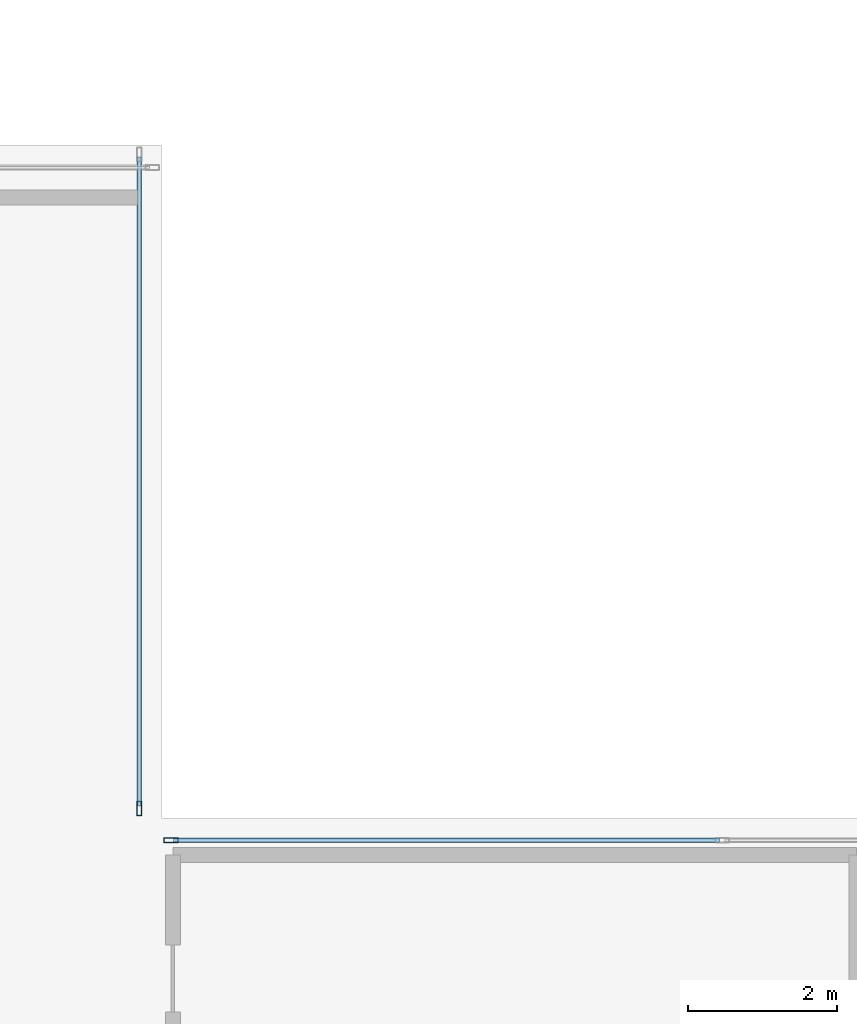
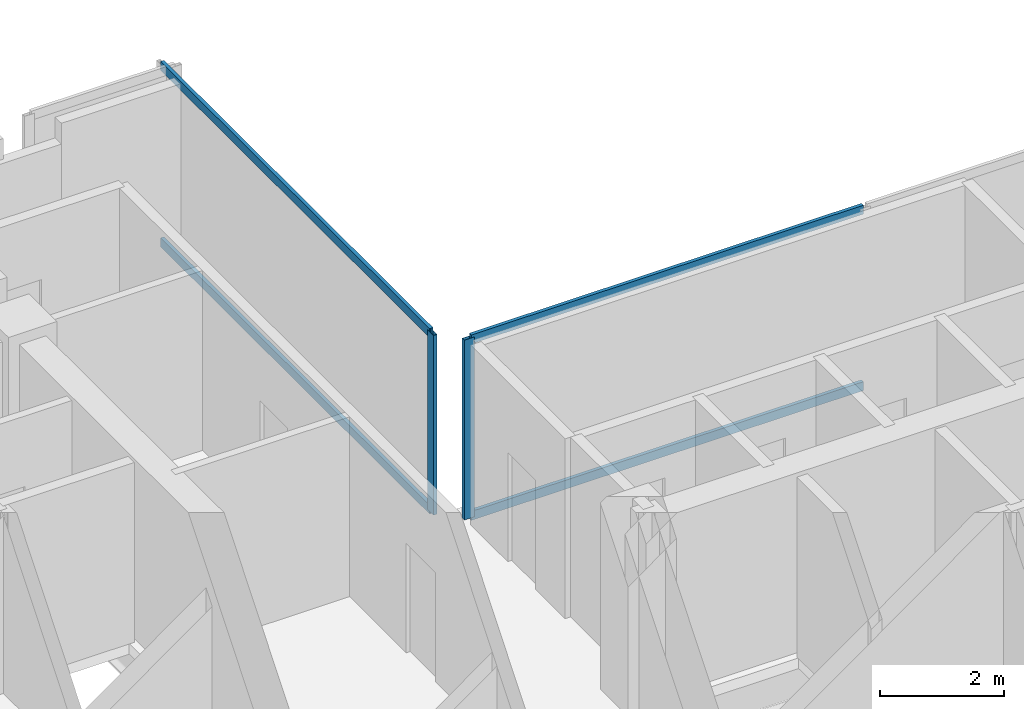
# One storey, part 9 of 21: 6 members, 2 elements without a shape of their own.
"""IFC4 building model written with IfcOpenShell, lengths in metres."""

from ifc_helpers import new_model, si_unit, direction, frame, origin, origin_2d, place, context, subcontext, project, spatial, hollow_rectangle, extrude, material, layer, layer_set, material_profile, profile_set, type_object, element, aggregate, save


model = new_model("IFC4")

# Units and contexts
model_context = context("Model", 3, precision=1e-05, world=origin(), true_north=direction((0.0, 1.0)))
body_context = subcontext(model_context, "Body", "Model", "MODEL_VIEW")
ifc_project = project(units=[si_unit("LENGTHUNIT", "METRE"), si_unit("AREAUNIT", "SQUARE_METRE"), si_unit("VOLUMEUNIT", "CUBIC_METRE"), si_unit("PLANEANGLEUNIT", "RADIAN"), si_unit("MASSUNIT", "GRAM", prefix="KILO"), si_unit("THERMODYNAMICTEMPERATUREUNIT", "KELVIN"), si_unit("POWERUNIT", "WATT")], contexts=[model_context])

# Site, building, storey
site_placement = place(None, origin())
site = spatial("IfcSite", under=ifc_project, at=site_placement, CompositionType="ELEMENT")
building_placement = place(site_placement, origin())
building = spatial("IfcBuilding", under=site, at=building_placement, Name="Svarakhadi Broadcast Tower", CompositionType="ELEMENT")
storey_placement = place(building_placement, frame((0.0, 0.0, 187.949951171875)))
storey = spatial("IfcBuildingStorey", under=building, at=storey_placement, Name="L46", CompositionType="ELEMENT", Elevation=187.949951171875)

# Curtain wall, member
ifc_material = material(Name="Anodised Bronze Aluminium AA 6063-T6", Category="aluminium")
ifc_layer = layer(ifc_material, 0.18994140625)
ifc_layer_set = layer_set([ifc_layer], Name="Anodised Bronze Aluminium AA 6063-T6")
curtain_wall_type = type_object("IfcCurtainWallType", Name="CW_Sys_04", PredefinedType="NOTDEFINED", material=ifc_layer_set)
curtain_wall_1_placement = place(storey_placement, origin())
curtain_wall_1 = element("IfcCurtainWall", 1, at=curtain_wall_1_placement, inside=storey, type_object=curtain_wall_type, Name="L46 Unitised Facade Curtain Wall 09", PredefinedType="NOTDEFINED")
ifc_material_profile_1 = material_profile(ifc_material, hollow_rectangle(XDim=0.070068359375, YDim=0.18994140625, WallThickness=0.005615234375, at=origin_2d()), Name="ALU MULLION 190x70x6")
ifc_profile_set_1 = profile_set([ifc_material_profile_1], Name="Anodised Bronze Aluminium AA 6063-T6")
member_type_1 = type_object("IfcMemberType", Name="CW_Sys_04_Mul", PredefinedType="MULLION", material=ifc_profile_set_1)
member_1_placement = place(storey_placement, frame((23.699951171875, 24.125, 0.0), z_axis=(0.0, 0.0, 1.0), x_axis=(1.0, 0.0, 0.0)))
member_1 = element("IfcMember", 2, at=member_1_placement, type_object=member_type_1, Name="CW-04 mullion 2", PredefinedType="MULLION", context=body_context, shape_type="SweptSolid", body=[
    extrude(hollow_rectangle(XDim=0.070068359375, YDim=0.18994140625, WallThickness=0.005615234375, at=origin_2d()), origin(), (0.0, 0.0, 1.0), 3.5400390625),
])

curtain_wall_2_placement = place(storey_placement, origin())
curtain_wall_2 = element("IfcCurtainWall", 3, at=curtain_wall_2_placement, inside=storey, type_object=curtain_wall_type, Name="L46 Unitised Facade Curtain Wall 10", PredefinedType="NOTDEFINED")
member_2_placement = place(storey_placement, frame((24.125, 23.699951171875, 0.0), z_axis=(0.0, 0.0, 1.0), x_axis=(0.0, 1.0, 0.0)))
member_2 = element("IfcMember", 4, at=member_2_placement, type_object=member_type_1, Name="CW-04 mullion 1", PredefinedType="MULLION", context=body_context, shape_type="SweptSolid", body=[
    extrude(hollow_rectangle(XDim=0.070068359375, YDim=0.18994140625, WallThickness=0.005615234375, at=origin_2d()), origin(), (0.0, 0.0, 1.0), 3.5400390625),
])

# Member
ifc_material_profile_2 = material_profile(ifc_material, hollow_rectangle(XDim=0.06494140625, YDim=0.175048828125, WallThickness=0.0048828125, at=origin_2d()), Name="ALU TRANSOM 175x65x5")
ifc_profile_set_2 = profile_set([ifc_material_profile_2], Name="Anodised Bronze Aluminium AA 6063-T6")
member_type_2 = type_object("IfcMemberType", Name="CW_Sys_04_Trn", PredefinedType="USERDEFINED", material=ifc_profile_set_2)
member_3_placement = place(storey_placement, frame((23.699951171875, 32.840087890625, 0.032470703125), z_axis=(0.0, -1.0, 0.0), x_axis=(1.0, 0.0, 0.0)))
member_3 = element("IfcMember", 5, at=member_3_placement, type_object=member_type_2, Name="CW-04 transom 1.1", ObjectType="TRANSOM", PredefinedType="USERDEFINED", context=body_context, shape_type="SweptSolid", body=[
    extrude(hollow_rectangle(XDim=0.06494140625, YDim=0.175048828125, WallThickness=0.0048828125, at=origin_2d()), origin(), (0.0, 0.0, 1.0), 8.68017578125),
])

member_4_placement = place(storey_placement, frame((23.699951171875, 32.840087890625, 3.507568359375), z_axis=(0.0, -1.0, 0.0), x_axis=(1.0, 0.0, 0.0)))
member_4 = element("IfcMember", 6, at=member_4_placement, type_object=member_type_2, Name="CW-04 transom 1.2", ObjectType="TRANSOM", PredefinedType="USERDEFINED", context=body_context, shape_type="SweptSolid", body=[
    extrude(hollow_rectangle(XDim=0.06494140625, YDim=0.175048828125, WallThickness=0.0048828125, at=origin_2d()), origin(), (0.0, 0.0, 1.0), 8.68017578125),
])

aggregate(curtain_wall_1, [member_1, member_3, member_4])

member_5_placement = place(storey_placement, frame((24.159912109375, 23.699951171875, 0.032470703125), z_axis=(1.0, 0.0, 0.0), x_axis=(0.0, 1.0, 0.0)))
member_5 = element("IfcMember", 7, at=member_5_placement, type_object=member_type_2, Name="CW-04 transom 1.1", ObjectType="TRANSOM", PredefinedType="USERDEFINED", context=body_context, shape_type="SweptSolid", body=[
    extrude(hollow_rectangle(XDim=0.06494140625, YDim=0.175048828125, WallThickness=0.0048828125, at=origin_2d()), origin(), (0.0, 0.0, 1.0), 7.30517578125),
])

member_6_placement = place(storey_placement, frame((24.159912109375, 23.699951171875, 3.507568359375), z_axis=(1.0, 0.0, 0.0), x_axis=(0.0, 1.0, 0.0)))
member_6 = element("IfcMember", 8, at=member_6_placement, type_object=member_type_2, Name="CW-04 transom 1.2", ObjectType="TRANSOM", PredefinedType="USERDEFINED", context=body_context, shape_type="SweptSolid", body=[
    extrude(hollow_rectangle(XDim=0.06494140625, YDim=0.175048828125, WallThickness=0.0048828125, at=origin_2d()), origin(), (0.0, 0.0, 1.0), 7.30517578125),
])

aggregate(curtain_wall_2, [member_2, member_5, member_6])

save(model, "model.ifc")
